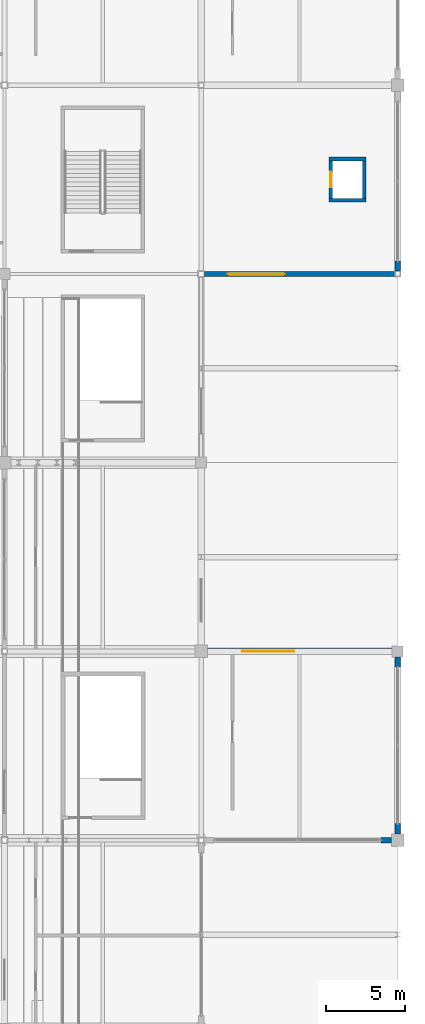
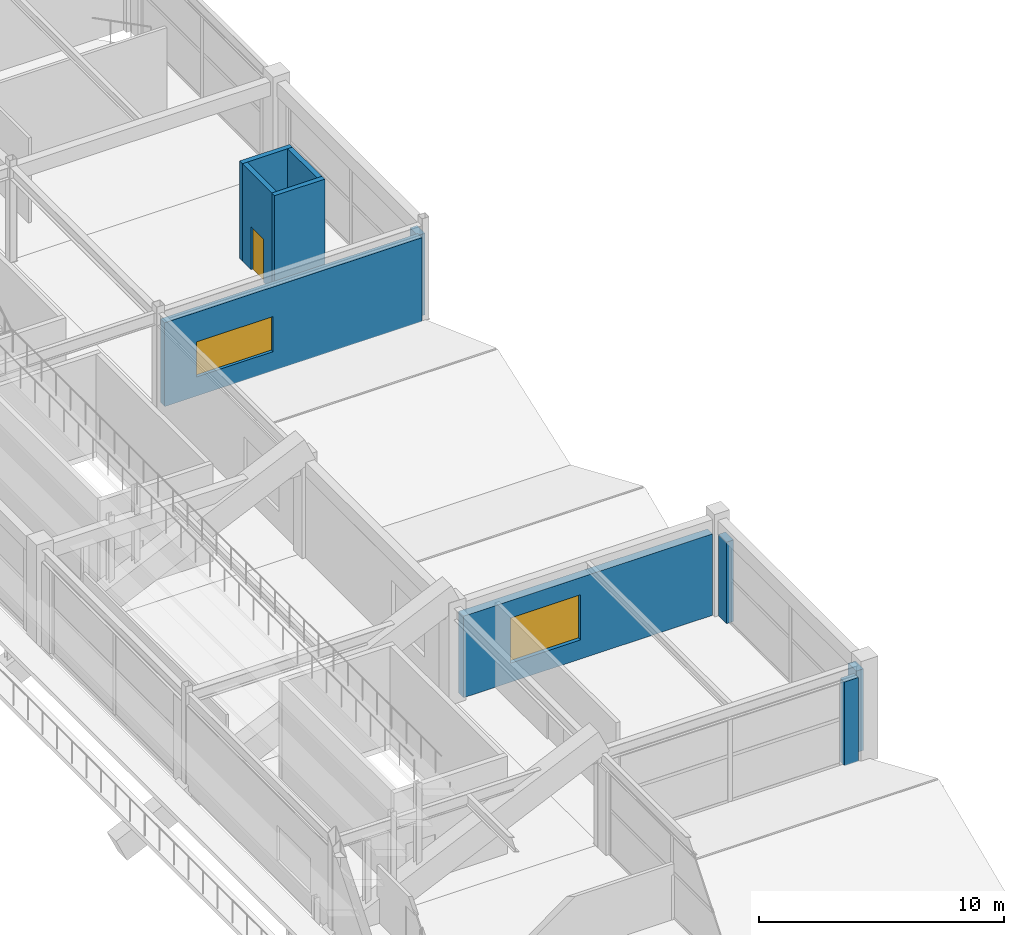
# One storey, part 95 of 128: 10 walls, 2 windows, 1 door, 3 openings.
"""IFC4 building model written with IfcOpenShell, lengths in metres."""

import ifcopenshell
import ifcopenshell.guid

model = None  # the IFC model being written
_history = None  # IfcOwnerHistory: only IFC2X3 demands one
_inside = {}  # id of a spatial element -> (the spatial element, [elements in it])
_under = {}  # id of a project, library or spatial element -> (it, [spatial elements below it])
_declared = {}  # id of a project -> (the project, [libraries it declares])
_typed = {}  # id of a type object -> (the type object, [elements of that type])
_made_of = {}  # id of a material, layer set ... -> (it, [elements and type objects made of it])


def new_model(schema):
    """Start an empty IFC model of exactly this schema.

    Asked for "IFC4X3", IfcOpenShell would pick the latest addendum, in which some entities
    have other attributes; the version numbers below select the first issue.
    IFC2X3 requires an IfcOwnerHistory on every rooted entity: one is made here for all.
    """
    global model, _history
    if schema == "IFC4X3":
        model = ifcopenshell.file(schema_version=(4, 3, 0, 0))
    else:
        model = ifcopenshell.file(schema=schema)
    _inside.clear()
    _under.clear()
    _declared.clear()
    _typed.clear()
    _made_of.clear()
    _history = None
    if model.schema == "IFC2X3":
        org = make("IfcOrganization", Name="unknown")
        user = make(
            "IfcPersonAndOrganization",
            ThePerson=make("IfcPerson", FamilyName="unknown"),
            TheOrganization=org,
        )
        app = make(
            "IfcApplication",
            ApplicationDeveloper=org,
            Version="unknown",
            ApplicationFullName="unknown",
            ApplicationIdentifier="unknown",
        )
        _history = make(
            "IfcOwnerHistory",
            OwningUser=user,
            OwningApplication=app,
            ChangeAction="ADDED",
            CreationDate=0,
        )
    return model


def make(cls, **values):
    """One entity of the class cls with the attributes given. An attribute that is None is left unset."""
    return model.create_entity(
        cls, **{name: value for name, value in values.items() if value is not None}
    )


def rooted(cls, **values):
    """An entity with a GlobalId (a new one), such as an element, a storey or a relation."""
    return make(cls, GlobalId=ifcopenshell.guid.new(), OwnerHistory=_history, **values)


def si_unit(unit_type, name, prefix=None):
    """IfcSIUnit, for example si_unit("LENGTHUNIT", "METRE", prefix="MILLI")."""
    return make("IfcSIUnit", UnitType=unit_type, Prefix=prefix, Name=name)


def assignment(units):
    """IfcUnitAssignment: the units of a project."""
    return None if units is None else make("IfcUnitAssignment", Units=units)


def point(xyz):
    """IfcCartesianPoint."""
    return None if xyz is None else make("IfcCartesianPoint", Coordinates=xyz)


def direction(xyz):
    """IfcDirection."""
    return None if xyz is None else make("IfcDirection", DirectionRatios=xyz)


def frame(location, z_axis=None, x_axis=None):
    """IfcAxis2Placement3D, a coordinate frame: its origin and axes. An axis left out is left unset."""
    return make(
        "IfcAxis2Placement3D",
        Location=point(location),
        Axis=direction(z_axis),
        RefDirection=direction(x_axis),
    )


def frame_2d(location, x_axis=None):
    """IfcAxis2Placement2D, a coordinate frame in the plane: its origin and x axis."""
    return make(
        "IfcAxis2Placement2D", Location=point(location), RefDirection=direction(x_axis)
    )


def origin():
    """The frame at (0, 0, 0) with its axes left unset."""
    return frame((0.0, 0.0, 0.0))


def place(relative_to, where):
    """IfcLocalPlacement: puts the frame where relative to a parent placement (None: the world)."""
    return make(
        "IfcLocalPlacement", PlacementRelTo=relative_to, RelativePlacement=where
    )


def context(
    kind, dimensions, precision=None, world=None, true_north=None, identifier=None
):
    """IfcGeometricRepresentationContext, for example the 3D "Model" context."""
    return make(
        "IfcGeometricRepresentationContext",
        ContextIdentifier=identifier,
        ContextType=kind,
        CoordinateSpaceDimension=dimensions,
        Precision=precision,
        WorldCoordinateSystem=world,
        TrueNorth=true_north,
    )


def subcontext(parent, identifier, kind, view, scale=None):
    """IfcGeometricRepresentationSubContext, for example "Body" below "Model"."""
    return make(
        "IfcGeometricRepresentationSubContext",
        ContextIdentifier=identifier,
        ContextType=kind,
        ParentContext=parent,
        TargetScale=scale,
        TargetView=view,
    )


def project(units=None, contexts=None):
    """IfcProject with its units and contexts."""
    return rooted(
        "IfcProject",
        Name="project",
        RepresentationContexts=contexts,
        UnitsInContext=assignment(units),
    )


def spatial(cls, under=None, at=None, **own):
    """A site, building, storey or space (cls), placed at a placement, below another one or the project."""
    s = rooted(cls, ObjectPlacement=at, **own)
    if under is not None:
        _under.setdefault(under.id(), (under, []))[1].append(s)
    return s


def profile(cls, at=None, kind="AREA", **sizes):
    """A parametric profile (cls). Its sizes go by their IFC names, for example OverallWidth=200.0."""
    return make(cls, ProfileType=kind, Position=at, **sizes)


def rectangle(**sizes):
    """IfcRectangleProfileDef."""
    return profile("IfcRectangleProfileDef", **sizes)


def extrude(swept, where, along, depth):
    """IfcExtrudedAreaSolid: the profile swept, set in the frame where, extruded along a direction by depth."""
    return make(
        "IfcExtrudedAreaSolid",
        SweptArea=swept,
        Position=where,
        ExtrudedDirection=direction(along),
        Depth=depth,
    )


def shape(context_of_items, identifier, shape_type, items):
    """IfcShapeRepresentation: the items that make up one representation, for example the "Body"."""
    return make(
        "IfcShapeRepresentation",
        ContextOfItems=context_of_items,
        RepresentationIdentifier=identifier,
        RepresentationType=shape_type,
        Items=items,
    )


def material(Name=None, Category=None):
    """IfcMaterial."""
    return make("IfcMaterial", Name=Name, Category=Category)


def layer(
    of_material, thickness, ventilated=None, Name=None, Category=None, Priority=None
):
    """IfcMaterialLayer: one layer of a wall or slab, of a material (None: an air gap)."""
    return make(
        "IfcMaterialLayer",
        Material=of_material,
        LayerThickness=thickness,
        IsVentilated=ventilated,
        Name=Name,
        Category=Category,
        Priority=Priority,
    )


def layer_set(layers, Name=None):
    """IfcMaterialLayerSet."""
    return make("IfcMaterialLayerSet", MaterialLayers=layers, LayerSetName=Name)


def made_of(thing, what):
    """Note that an element or type object is made of a material, layer set ...; save() writes the relation."""
    if what is not None:
        _made_of.setdefault(what.id(), (what, []))[1].append(thing)
    return thing


def type_object(cls, material=None, **own):
    """A type object (cls), such as IfcWallType, which elements share."""
    return made_of(rooted(cls, **own), material)


def element(
    cls,
    number,
    at=None,
    inside=None,
    cuts=None,
    type_object=None,
    material=None,
    context=None,
    identifier="Body",
    shape_type=None,
    held_by="IfcProductDefinitionShape",
    body=None,
    shapes=None,
    **own,
):
    """One element of the class cls, such as IfcWall. Its Tag is "e" and its number.

    at: its placement. inside: the storey or other place that contains it. cuts: it is an
    opening in that element (IfcRelVoidsElement). A single representation is given by context,
    identifier, shape_type and body (its items); several are given by shapes. held_by: the class
    of the entity that holds the representations. save() writes the other relations.
    """
    e = rooted(cls, Tag="e%d" % number, ObjectPlacement=at, **own)
    if body is not None:
        shapes = [shape(context, identifier, shape_type, body)]
    if shapes is not None:
        e.Representation = make(held_by, Representations=shapes)
    if inside is not None:
        _inside.setdefault(inside.id(), (inside, []))[1].append(e)
    if cuts is not None:
        rooted(
            "IfcRelVoidsElement", RelatingBuildingElement=cuts, RelatedOpeningElement=e
        )
    if type_object is not None:
        _typed.setdefault(type_object.id(), (type_object, []))[1].append(e)
    return made_of(e, material)


def fill(opening, filler):
    """IfcRelFillsElement: the door or window that sits in an opening."""
    return rooted(
        "IfcRelFillsElement",
        RelatingOpeningElement=opening,
        RelatedBuildingElement=filler,
    )


def aggregate(whole, parts):
    """IfcRelAggregates: a whole, such as a stair, and the parts it consists of."""
    return rooted("IfcRelAggregates", RelatingObject=whole, RelatedObjects=parts)


def save(model, path):
    """Write the relations noted so far, then the file.

    IfcRelAggregates (storeys below a building ...), IfcRelContainedInSpatialStructure (elements
    in a storey), IfcRelDefinesByType, IfcRelAssociatesMaterial and IfcRelDeclares: one each for
    every whole, place, type object, material and project.
    """
    for whole, parts in _under.values():
        aggregate(whole, parts)
    for where, things in _inside.values():
        rooted(
            "IfcRelContainedInSpatialStructure",
            RelatedElements=things,
            RelatingStructure=where,
        )
    for kind, things in _typed.values():
        rooted("IfcRelDefinesByType", RelatedObjects=things, RelatingType=kind)
    for what, things in _made_of.values():
        rooted("IfcRelAssociatesMaterial", RelatedObjects=things, RelatingMaterial=what)
    for by, libraries in _declared.values():
        rooted("IfcRelDeclares", RelatingContext=by, RelatedDefinitions=libraries)
    model.write(path)


model = new_model("IFC4")

# Units and contexts
model_context = context("Model", 3, precision=1e-05, world=origin(), true_north=direction((0.0, 1.0)))
body_context = subcontext(model_context, "Body", "Model", "MODEL_VIEW")
ifc_project = project(units=[si_unit("LENGTHUNIT", "METRE"), si_unit("AREAUNIT", "SQUARE_METRE"), si_unit("VOLUMEUNIT", "CUBIC_METRE"), si_unit("PLANEANGLEUNIT", "RADIAN"), si_unit("MASSUNIT", "GRAM", prefix="KILO")], contexts=[model_context])

# Site, building, storey
site_placement = place(None, origin())
site = spatial("IfcSite", under=ifc_project, at=site_placement, CompositionType="ELEMENT")
building_placement = place(site_placement, origin())
building = spatial("IfcBuilding", under=site, at=building_placement, Name="Kazenohara Klinker Stadium", CompositionType="ELEMENT")
storey_placement = place(building_placement, frame((0.0, 0.0, 15.300048828125)))
storey = spatial("IfcBuildingStorey", under=building, at=storey_placement, Name="L03", CompositionType="ELEMENT", Elevation=15.300048828125)

# Walls
ifc_material_1 = material(Name="Concrete C40/50", Category="concrete")
ifc_layer_1 = layer(ifc_material_1, 0.22998046875)
ifc_layer_set_1 = layer_set([ifc_layer_1], Name="Concrete C40/50")
wall_type_1 = type_object("IfcWallType", Name="WAL-CORE-230", PredefinedType="SHEAR", material=ifc_layer_set_1)
for number, where, z_axis, x_axis, name in (
    (1, (195.6201171875, 136.68505859375, 0.0), (0.0, 0.0, 1.0), (1.0, 0.0, 0.0), "Elevator shaft wall LP05 L03 South"),
    (2, (195.6201171875, 139.31494140625, 0.0), (0.0, 0.0, 1.0), (1.0, 0.0, 0.0), "Elevator shaft wall LP05 L03 North"),
):
    element("IfcWall", number, at=place(storey_placement, frame(where, z_axis=z_axis, x_axis=x_axis)), inside=storey, type_object=wall_type_1, Name=name, PredefinedType="SHEAR", context=body_context, shape_type="SweptSolid", body=[
        extrude(rectangle(XDim=2.35986328125, YDim=0.22998046875, at=frame_2d((1.179931640625, 0.0))), origin(), (0.0, 0.0, 1.0), 4.85986328125),
    ])

# Wall, opening, door
wall_1_placement = place(storey_placement, frame((195.735107421875, 136.800048828125, 0.0), z_axis=(0.0, 0.0, 1.0), x_axis=(0.0, 1.0, 0.0)))
wall_1 = element("IfcWall", 3, at=wall_1_placement, inside=storey, type_object=wall_type_1, Name="Elevator shaft wall LP05 L03 West", PredefinedType="SHEAR", context=body_context, shape_type="SweptSolid", body=[
    extrude(rectangle(XDim=2.39990234375, YDim=0.22998046875, at=frame_2d((1.199951171875, 0.0))), origin(), (0.0, 0.0, 1.0), 4.85986328125),
])
opening_1_placement = place(wall_1_placement, frame((0.699951171875, 0.0, 0.0)))
opening_1 = element("IfcOpeningElement", 4, at=opening_1_placement, cuts=wall_1, Name="Opening LD02", PredefinedType="OPENING", context=body_context, shape_type="SweptSolid", body=[
    extrude(rectangle(XDim=1.0, YDim=2.14990234375, at=frame_2d((0.5, 1.074951171875))), frame((0.0, 0.125, 0.0), z_axis=(0.0, -1.0, 0.0), x_axis=(1.0, 0.0, 0.0)), (0.0, 0.0, 1.0), 0.25),
])
ifc_material_2 = material(Name="Stainless steel sliding landing door", Category="steel")
door_type = type_object("IfcDoorType", Name="DR-LD02-1000x2150", OperationType="NOTDEFINED", PredefinedType="DOOR", material=ifc_material_2)
door_placement = place(opening_1_placement, origin())
door = element("IfcDoor", 5, at=door_placement, inside=storey, type_object=door_type, Name="Elevator sliding landing door LP05-L03", OperationType="DOUBLE_DOOR_SLIDING", OverallHeight=2.14990234375, OverallWidth=1.0, PredefinedType="DOOR", context=body_context, shape_type="SweptSolid", body=[
    extrude(rectangle(XDim=1.0, YDim=2.14990234375, at=frame_2d((0.5, 1.074951171875))), frame((0.0, 0.02490234375, 0.0), z_axis=(0.0, -1.0, 0.0), x_axis=(1.0, 0.0, 0.0)), (0.0, 0.0, 1.0), 0.050048828125),
])
fill(opening_1, door)

# Walls
wall_2_placement = place(storey_placement, frame((197.864990234375, 136.800048828125, 0.0), z_axis=(0.0, 0.0, 1.0), x_axis=(0.0, 1.0, 0.0)))
element("IfcWall", 6, at=wall_2_placement, inside=storey, type_object=wall_type_1, Name="Elevator shaft wall LP05 L03 East", PredefinedType="SHEAR", context=body_context, shape_type="SweptSolid", body=[
    extrude(rectangle(XDim=2.39990234375, YDim=0.22998046875, at=frame_2d((1.199951171875, 0.0))), origin(), (0.0, 0.0, 1.0), 4.85986328125),
])
ifc_material_3 = material(Name="Clinker brick masonry", Category="masonry")
ifc_layer_2 = layer(ifc_material_3, 0.340087890625)
ifc_layer_set_2 = layer_set([ifc_layer_2], Name="Clinker brick masonry")
wall_type_2 = type_object("IfcWallType", Name="WAL-EXT-CB340", PredefinedType="SOLIDWALL", material=ifc_layer_set_2)
wall_3_placement = place(storey_placement, frame((198.946044921875, 96.0, 0.0), z_axis=(0.0, 0.0, 1.0), x_axis=(1.0, 0.0, 0.0)))
element("IfcWall", 7, at=wall_3_placement, inside=storey, type_object=wall_type_2, Name="Clinker brick curtain-wall jamb pier L03 X15-8 B", PredefinedType="SOLIDWALL", context=body_context, shape_type="SweptSolid", body=[
    extrude(rectangle(XDim=0.64990234375, YDim=0.340087890625, at=frame_2d((0.324951171875, 0.0))), origin(), (0.0, 0.0, 1.0), 4.171875),
])
for number, where, z_axis, x_axis, name in (
    (8, (200.0, 96.404052734375, 0.0), (0.0, 0.0, 1.0), (0.0, 1.0, 0.0), "Clinker brick curtain-wall jamb pier L03 Y16-8 A"),
    (9, (200.0, 106.99609375, 0.0), (0.0, 0.0, 1.0), (0.0, 1.0, 0.0), "Clinker brick curtain-wall jamb pier L03 Y16-8 B"),
):
    element("IfcWall", number, at=place(storey_placement, frame(where, z_axis=z_axis, x_axis=x_axis)), inside=storey, type_object=wall_type_2, Name=name, PredefinedType="SOLIDWALL", context=body_context, shape_type="SweptSolid", body=[
        extrude(rectangle(XDim=0.64990234375, YDim=0.340087890625, at=frame_2d((0.324951171875, 0.0))), origin(), (0.0, 0.0, 1.0), 4.06005859375),
    ])

# Wall, opening, window
wall_4_placement = place(storey_placement, frame((187.7041015625, 132.0, 0.0), z_axis=(0.0, 0.0, 1.0), x_axis=(1.0, 0.0, 0.0)))
wall_4 = element("IfcWall", 10, at=wall_4_placement, inside=storey, type_object=wall_type_2, Name="Clinker brick cavity wall EW04 L03 X15-11", PredefinedType="SOLIDWALL", context=body_context, shape_type="SweptSolid", body=[
    extrude(rectangle(XDim=12.116943359375, YDim=0.340087890625, at=frame_2d((6.05859375, 0.0))), origin(), (0.0, 0.0, 1.0), 4.171875),
])
opening_2_placement = place(wall_4_placement, frame((1.5, 0.0, 0.949951171875)))
opening_2 = element("IfcOpeningElement", 11, at=opening_2_placement, cuts=wall_4, Name="Opening W35", PredefinedType="OPENING", context=body_context, shape_type="SweptSolid", body=[
    extrude(rectangle(XDim=3.60009765625, YDim=1.75, at=frame_2d((1.800048828125, 0.875))), frame((0.0, 0.18017578125, 0.0), z_axis=(0.0, -1.0, 0.0), x_axis=(1.0, 0.0, 0.0)), (0.0, 0.0, 1.0), 0.360107421875),
])
ifc_material_4 = material(Name="Dark bronze aluminium frame and triple glazing", Category="aluminium")
window_type_1 = type_object("IfcWindowType", Name="WIN-AS-35", PartitioningType="SINGLE_PANEL", PredefinedType="WINDOW", material=ifc_material_4)
window_1_placement = place(opening_2_placement, origin())
window_1 = element("IfcWindow", 12, at=window_1_placement, inside=storey, type_object=window_type_1, Name="Horizontal-mullion ladder window W35 L03 X15-11", OverallHeight=1.75, OverallWidth=3.60009765625, PartitioningType="SINGLE_PANEL", PredefinedType="WINDOW", context=body_context, shape_type="SweptSolid", body=[
    extrude(rectangle(XDim=3.60009765625, YDim=1.75, at=frame_2d((1.800048828125, 0.875))), frame((0.0, 0.030029296875, 0.0), z_axis=(0.0, -1.0, 0.0), x_axis=(1.0, 0.0, 0.0)), (0.0, 0.0, 1.0), 0.06005859375),
])
fill(opening_2, window_1)

# Wall
wall_5_placement = place(storey_placement, frame((200.0, 132.178955078125, 0.0), z_axis=(0.0, 0.0, 1.0), x_axis=(0.0, 1.0, 0.0)))
element("IfcWall", 13, at=wall_5_placement, inside=storey, type_object=wall_type_2, Name="Clinker brick curtain-wall jamb pier L03 Y16-11 A", PredefinedType="SOLIDWALL", context=body_context, shape_type="SweptSolid", body=[
    extrude(rectangle(XDim=0.650146484375, YDim=0.340087890625, at=frame_2d((0.3251953125, 0.0))), origin(), (0.0, 0.0, 1.0), 4.06005859375),
])

# Wall, opening, window
ifc_layer_3 = layer(ifc_material_3, 0.409912109375)
ifc_layer_set_3 = layer_set([ifc_layer_3], Name="Clinker brick masonry")
wall_type_3 = type_object("IfcWallType", Name="WAL-EXT-CB410", PredefinedType="SOLIDWALL", material=ifc_layer_set_3)
wall_6_placement = place(storey_placement, frame((187.904052734375, 108.0, 0.0), z_axis=(0.0, 0.0, 1.0), x_axis=(1.0, 0.0, 0.0)))
wall_6 = element("IfcWall", 14, at=wall_6_placement, inside=storey, type_object=wall_type_3, Name="Clinker brick cavity wall EW02 L03 X15-9", PredefinedType="SOLIDWALL", context=body_context, shape_type="SweptSolid", body=[
    extrude(rectangle(XDim=11.741943359375, YDim=0.409912109375, at=frame_2d((5.87109375, 0.0))), origin(), (0.0, 0.0, 1.0), 4.06005859375),
])
opening_3_placement = place(wall_6_placement, frame((2.216064453125, 0.0, 0.949951171875)))
opening_3 = element("IfcOpeningElement", 15, at=opening_3_placement, cuts=wall_6, Name="Opening W34", PredefinedType="OPENING", context=body_context, shape_type="SweptSolid", body=[
    extrude(rectangle(XDim=3.300048828125, YDim=2.25, at=frame_2d((1.64990234375, 1.125))), frame((0.0, 0.21484375, 0.0), z_axis=(0.0, -1.0, 0.0), x_axis=(1.0, 0.0, 0.0)), (0.0, 0.0, 1.0), 0.429931640625),
])
window_type_2 = type_object("IfcWindowType", Name="WIN-AS-34", PartitioningType="SINGLE_PANEL", PredefinedType="WINDOW", material=ifc_material_4)
window_2_placement = place(opening_3_placement, origin())
window_2 = element("IfcWindow", 16, at=window_2_placement, inside=storey, type_object=window_type_2, Name="Horizontal-mullion ladder window W34 L03 X15-9", OverallHeight=2.25, OverallWidth=3.300048828125, PartitioningType="SINGLE_PANEL", PredefinedType="WINDOW", context=body_context, shape_type="SweptSolid", body=[
    extrude(rectangle(XDim=3.300048828125, YDim=2.25, at=frame_2d((1.64990234375, 1.125))), frame((0.0, 0.030029296875, 0.0), z_axis=(0.0, -1.0, 0.0), x_axis=(1.0, 0.0, 0.0)), (0.0, 0.0, 1.0), 0.06005859375),
])
fill(opening_3, window_2)

save(model, "model.ifc")
